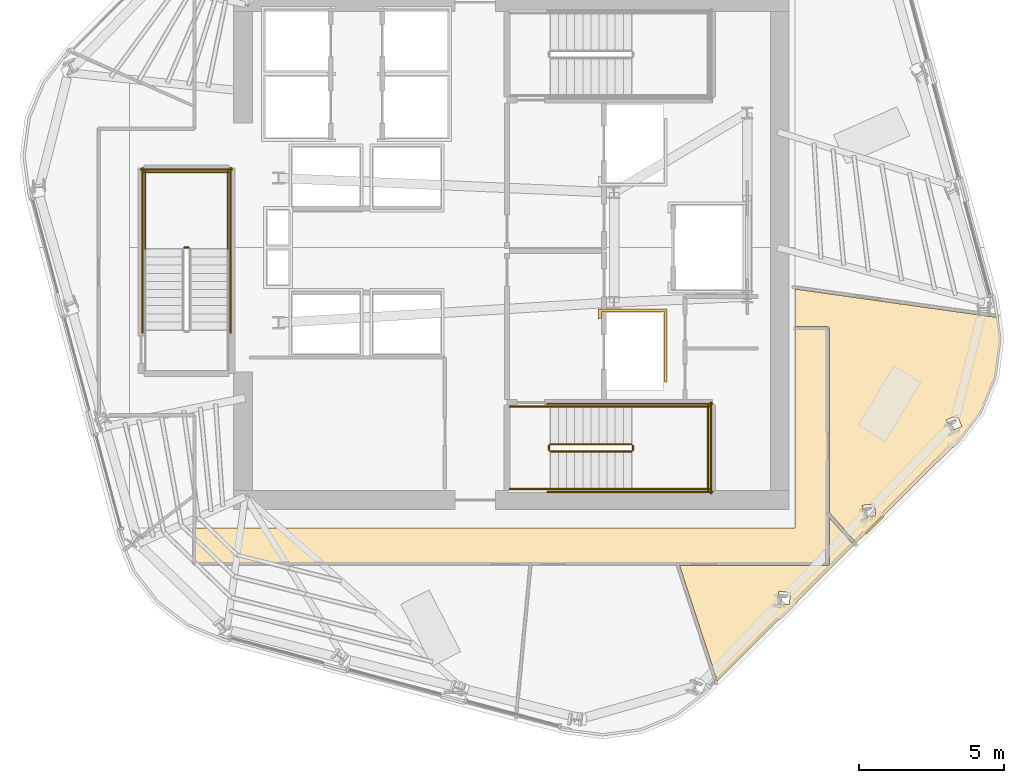
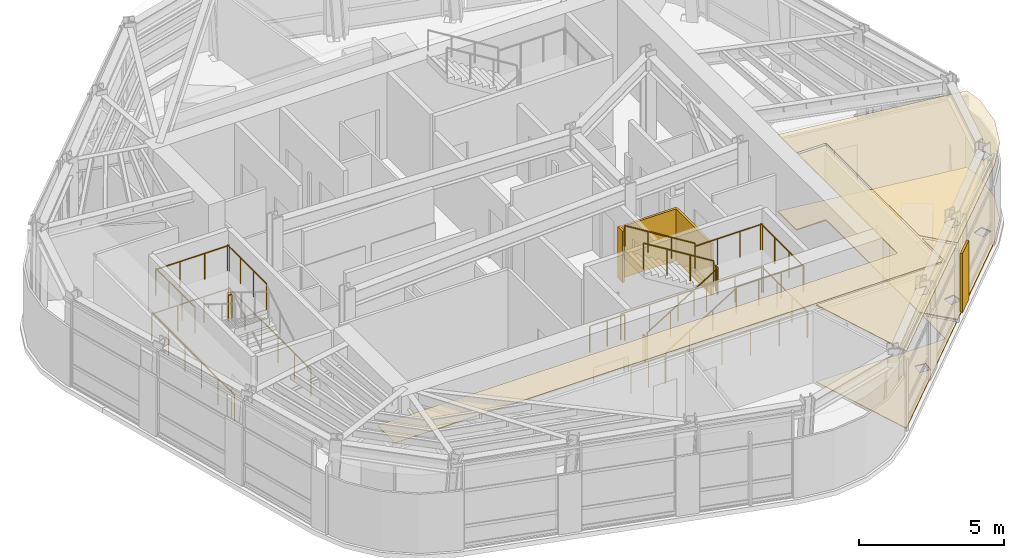
# One storey, part 10 of 13: 21 railings, 7 coverings.
"""IFC4 building model written with IfcOpenShell, lengths in metres."""

from ifc_helpers import new_model, si_unit, direction, frame, origin, origin_2d, place, context, subcontext, project, spatial, polyline, circle, outline, extrude, material, layer, layer_set, type_object, element, save


model = new_model("IFC4")

# Units and contexts
model_context = context("Model", 3, precision=1e-05, world=origin(), true_north=direction((0.0, 1.0)))
body_context = subcontext(model_context, "Body", "Model", "MODEL_VIEW")
ifc_project = project(units=[si_unit("LENGTHUNIT", "METRE"), si_unit("AREAUNIT", "SQUARE_METRE"), si_unit("VOLUMEUNIT", "CUBIC_METRE"), si_unit("PLANEANGLEUNIT", "RADIAN"), si_unit("MASSUNIT", "GRAM", prefix="KILO")], contexts=[model_context])

# Site, building, storey
site_placement = place(None, origin())
site = spatial("IfcSite", under=ifc_project, at=site_placement, CompositionType="ELEMENT")
building_placement = place(site_placement, origin())
building = spatial("IfcBuilding", under=site, at=building_placement, Name="Valkerne Bourse Tower", CompositionType="ELEMENT")
storey_placement = place(building_placement, frame((0.0, 0.0, 217.0)))
storey = spatial("IfcBuildingStorey", under=building, at=storey_placement, Name="L55", CompositionType="ELEMENT", Elevation=217.0)

# Coverings
ifc_material_1 = material(Name="Mineral Fiber Acoustic Ceiling Tile", Category="acoustic")
ifc_layer_1 = layer(ifc_material_1, 0.02490234375)
ifc_layer_set_1 = layer_set([ifc_layer_1], Name="Mineral Fiber Acoustic Ceiling Tile")
covering_type_1 = type_object("IfcCoveringType", Name="COV-CEIL-ACT", PredefinedType="CEILING", material=ifc_layer_set_1)
covering_1_placement = place(storey_placement, frame((0.0, 0.0, 3.25)))
element("IfcCovering", 1, at=covering_1_placement, inside=storey, type_object=covering_type_1, Name="L55 Suspended Ceiling 04", PredefinedType="CEILING", context=body_context, shape_type="SweptSolid", body=[
    extrude(outline(polyline([(57.74267578125, 16.0146484375), (57.775390625, 16.038330078125), (57.788818359375, 16.07666015625), (57.7890625, 17.661376953125), (58.632080078125, 16.711669921875), (53.915771484375, 12.0263671875), (52.61328125, 16.010986328125), (57.74267578125, 16.0146484375)]), holes=[polyline([(56.453857421875, 15.069091796875), (56.0458984375, 15.122802734375), (56.0439453125, 15.12158203125), (55.990966796875, 14.7109375), (56.398681640625, 14.6572265625), (56.400634765625, 14.65869140625), (56.453857421875, 15.069091796875)])]), origin(), (0.0, 0.0, 1.0), 0.02490234375),
])
covering_2_placement = place(storey_placement, frame((0.0, 0.0, 3.25)))
element("IfcCovering", 2, at=covering_2_placement, inside=storey, type_object=covering_type_1, Name="L55 Suspended Ceiling 06", PredefinedType="CEILING", context=body_context, shape_type="SweptSolid", body=[
    extrude(outline(polyline([(63.002685546875, 21.30419921875), (62.193603515625, 20.249755859375), (58.716064453125, 16.794921875), (57.7890625, 17.839111328125), (57.786865234375, 24.217529296875), (57.76171875, 24.255126953125), (57.723388671875, 24.268798828125), (56.60009765625, 24.26904296875), (56.60009765625, 25.56298828125), (63.5810546875, 24.58203125), (63.679931640625, 23.83154296875), (63.507568359375, 22.523193359375), (63.002685546875, 21.30419921875)]), holes=[polyline([(59.39453125, 17.734130859375), (59.333984375, 18.143798828125), (58.927001953125, 18.08447265625), (58.925537109375, 18.08251953125), (58.986083984375, 17.673095703125), (59.393310546875, 17.732421875), (59.39453125, 17.734130859375)]), polyline([(62.368896484375, 20.8173828125), (62.20654296875, 21.1982421875), (61.827880859375, 21.037841796875), (61.826904296875, 21.03564453125), (61.989013671875, 20.65478515625), (62.367919921875, 20.815185546875), (62.368896484375, 20.8173828125)])]), origin(), (0.0, 0.0, 1.0), 0.02490234375),
])
ifc_material_2 = material(Name="Bronze Anodised Aluminium AA 6063-T6", Category="aluminium")
ifc_layer_2 = layer(ifc_material_2, 0.030029296875)
ifc_layer_set_2 = layer_set([ifc_layer_2], Name="Bronze Anodised Aluminium AA 6063-T6")
covering_type_2 = type_object("IfcCoveringType", Name="COV-CEIL-METAL", PredefinedType="CEILING", material=ifc_layer_set_2)
covering_3_placement = place(storey_placement, frame((0.0, 0.0, 3.25)))
element("IfcCovering", 3, at=covering_3_placement, inside=storey, type_object=covering_type_2, Name="L55 Suspended Ceiling 01", PredefinedType="CEILING", context=body_context, shape_type="SweptSolid", body=[
    extrude(outline(polyline([(35.85400390625, 17.300048828125), (56.60009765625, 17.300048828125), (56.60009765625, 24.196044921875), (57.716064453125, 24.196044921875), (57.716064453125, 16.083984375), (35.85400390625, 16.083984375), (35.85400390625, 17.300048828125)])), origin(), (0.0, 0.0, 1.0), 0.02490234375),
])
ifc_layer_3 = layer(ifc_material_2, 0.06005859375)
ifc_layer_set_3 = layer_set([ifc_layer_3], Name="Bronze Anodised Aluminium AA 6063-T6")
covering_type_3 = type_object("IfcCoveringType", Name="COV-CRN-ALUM", PredefinedType="CLADDING", material=ifc_layer_set_3)
covering_4_placement = place(storey_placement, origin())
element("IfcCovering", 4, at=covering_4_placement, inside=storey, type_object=covering_type_3, Name="L55 Wind-Shaped Corner Aluminium Cladding 02", PredefinedType="CLADDING", context=body_context, shape_type="SweptSolid", body=[
    extrude(outline(polyline([(59.0849609375, 17.099365234375), (59.0283203125, 17.156005859375), (59.624267578125, 17.748046875), (59.680908203125, 17.69140625), (59.0849609375, 17.099365234375)])), origin(), (0.0, 0.0, 1.0), 2.5),
])
ifc_material_3 = material(Name="Galvanised Painted Steel", Category="steel")
ifc_layer_4 = layer(ifc_material_3, 0.044921875)
ifc_layer_set_4 = layer_set([ifc_layer_4], Name="Galvanised Painted Steel")
covering_type_4 = type_object("IfcCoveringType", Name="COV-FLR-RAF", PredefinedType="FLOORING", material=ifc_layer_set_4)
covering_5_placement = place(storey_placement, origin())
element("IfcCovering", 5, at=covering_5_placement, inside=storey, type_object=covering_type_4, Name="L55 Floor Finish 06", PredefinedType="FLOORING", context=body_context, shape_type="SweptSolid", body=[
    extrude(outline(polyline([(63.002685546875, 21.30419921875), (62.193603515625, 20.249755859375), (58.716064453125, 16.794921875), (57.7890625, 17.839111328125), (57.786865234375, 24.217529296875), (57.76171875, 24.255126953125), (57.723388671875, 24.268798828125), (56.60009765625, 24.26904296875), (56.60009765625, 25.56298828125), (63.5810546875, 24.58203125), (63.679931640625, 23.83154296875), (63.507568359375, 22.523193359375), (63.002685546875, 21.30419921875)]), holes=[polyline([(59.39453125, 17.734130859375), (59.333984375, 18.143798828125), (58.927001953125, 18.08447265625), (58.925537109375, 18.08251953125), (58.986083984375, 17.673095703125), (59.393310546875, 17.732421875), (59.39453125, 17.734130859375)]), polyline([(62.368896484375, 20.8173828125), (62.20654296875, 21.1982421875), (61.827880859375, 21.037841796875), (61.826904296875, 21.03564453125), (61.989013671875, 20.65478515625), (62.367919921875, 20.815185546875), (62.368896484375, 20.8173828125)])]), origin(), (0.0, 0.0, 1.0), 0.044921875),
])
ifc_material_4 = material(Name="Polished Granite Stone", Category="masonry")
ifc_layer_5 = layer(ifc_material_4, 0.030029296875)
ifc_layer_set_5 = layer_set([ifc_layer_5], Name="Polished Granite Stone")
covering_type_5 = type_object("IfcCoveringType", Name="COV-FLR-TERRAZZO", PredefinedType="FLOORING", material=ifc_layer_set_5)
covering_6_placement = place(storey_placement, origin())
element("IfcCovering", 6, at=covering_6_placement, inside=storey, type_object=covering_type_5, Name="L55 Floor Finish 04", PredefinedType="FLOORING", context=body_context, shape_type="SweptSolid", body=[
    extrude(outline(polyline([(57.74267578125, 16.0146484375), (57.775390625, 16.038330078125), (57.788818359375, 16.07666015625), (57.7890625, 17.661376953125), (58.632080078125, 16.711669921875), (53.915771484375, 12.0263671875), (52.61328125, 16.010986328125), (57.74267578125, 16.0146484375)]), holes=[polyline([(56.453857421875, 15.069091796875), (56.0458984375, 15.122802734375), (56.0439453125, 15.12158203125), (55.990966796875, 14.7109375), (56.398681640625, 14.6572265625), (56.400634765625, 14.65869140625), (56.453857421875, 15.069091796875)])]), origin(), (0.0, 0.0, 1.0), 0.030029296875),
])
ifc_material_5 = material(Name="Gypsum Shaftwall Liner Board", Category="gypsum")
ifc_layer_6 = layer(ifc_material_5, 0.080078125)
ifc_layer_set_6 = layer_set([ifc_layer_6], Name="Gypsum Shaftwall Liner Board")
covering_type_6 = type_object("IfcCoveringType", Name="COV-SHF-CLAD", PredefinedType="CLADDING", material=ifc_layer_set_6)
covering_7_placement = place(storey_placement, origin())
element("IfcCovering", 7, at=covering_7_placement, inside=storey, type_object=covering_type_6, Name="L55 Hoistway & Riser Shaftwall Liner 05", PredefinedType="CLADDING", context=body_context, shape_type="SweptSolid", body=[
    extrude(outline(polyline([(52.179931640625, 22.35009765625), (52.090087890625, 22.35009765625), (52.090087890625, 24.7900390625), (49.909912109375, 24.7900390625), (49.909912109375, 24.560791015625), (49.869384765625, 24.550537109375), (49.827880859375, 24.53564453125), (49.820068359375, 24.531982421875), (49.820068359375, 24.8798828125), (52.179931640625, 24.8798828125), (52.179931640625, 22.35009765625)])), origin(), (0.0, 0.0, 1.0), 2.179931640625),
])

# Railings
railing_type_1 = type_object("IfcRailingType", Name="RLG-ST-GUARD-1120", PredefinedType="GUARDRAIL", material=ifc_material_3)
railing_1_placement = place(storey_placement, frame((48.14990234375, 19.949951171875, 0.172607421875)))
element("IfcRailing", 8, at=railing_1_placement, inside=storey, type_object=railing_type_1, Name="L55 ST-1 stair guard 1", PredefinedType="GUARDRAIL", context=body_context, shape_type="SweptSolid", body=[
    extrude(circle(Radius=0.02392578125, at=origin_2d()), frame((0.0, 0.0, 1.09619140625), z_axis=(0.851089632645, 0.0, 0.525020415988), x_axis=(0.0, 1.0, 0.0)), (0.0, 0.0, 1.0), 3.2900390625),
    extrude(circle(Radius=0.02099609375, at=origin_2d()), origin(), (0.0, 0.0, 1.0), 1.072021484375),
    extrude(circle(Radius=0.02099609375, at=origin_2d()), frame((0.933349609375, 0.0, 0.57568359375)), (0.0, 0.0, 1.0), 1.072021484375),
    extrude(circle(Radius=0.02099609375, at=origin_2d()), frame((1.86669921875, 0.0, 1.151611328125)), (0.0, 0.0, 1.0), 1.072021484375),
    extrude(circle(Radius=0.02099609375, at=origin_2d()), frame((2.800048828125, 0.0, 1.727294921875)), (0.0, 0.0, 1.0), 1.072021484375),
])
railing_2_placement = place(storey_placement, frame((51.0, 20.0, 1.89990234375)))
element("IfcRailing", 9, at=railing_2_placement, inside=storey, type_object=railing_type_1, Name="L55 ST-1 stair guard 2", PredefinedType="GUARDRAIL", context=body_context, shape_type="SweptSolid", body=[
    extrude(circle(Radius=0.02392578125, at=origin_2d()), frame((0.0, 0.0, 1.09619140625), z_axis=(0.0, 1.0, 0.0), x_axis=(-1.0, 0.0, 0.0)), (0.0, 0.0, 1.0), 0.14990234375),
    extrude(circle(Radius=0.02099609375, at=origin_2d()), origin(), (0.0, 0.0, 1.0), 1.072021484375),
    extrude(circle(Radius=0.02099609375, at=origin_2d()), frame((0.0, 0.14990234375, 0.0)), (0.0, 0.0, 1.0), 1.072021484375),
])
for number, where, name in (
    (10, (50.949951171875, 18.64990234375, 1.89990234375), "L55 ST-1 stair guard 3"),
    (11, (50.949951171875, 21.5, 1.89990234375), "L55 ST-1 stair guard 4"),
):
    element("IfcRailing", number, at=place(storey_placement, frame(where)), inside=storey, type_object=railing_type_1, Name=name, PredefinedType="GUARDRAIL", context=body_context, shape_type="SweptSolid", body=[
        extrude(circle(Radius=0.02392578125, at=origin_2d()), frame((0.0, 0.0, 1.09619140625), z_axis=(1.0, 0.0, 0.0), x_axis=(0.0, 1.0, 0.0)), (0.0, 0.0, 1.0), 2.699951171875),
        extrude(circle(Radius=0.02099609375, at=origin_2d()), origin(), (0.0, 0.0, 1.0), 1.072021484375),
        extrude(circle(Radius=0.02099609375, at=origin_2d()), frame((0.89990234375, 0.0, 0.0)), (0.0, 0.0, 1.0), 1.072021484375),
        extrude(circle(Radius=0.02099609375, at=origin_2d()), frame((1.800048828125, 0.0, 0.0)), (0.0, 0.0, 1.0), 1.072021484375),
        extrude(circle(Radius=0.02099609375, at=origin_2d()), frame((2.699951171875, 0.0, 0.0)), (0.0, 0.0, 1.0), 1.072021484375),
    ])
railing_3_placement = place(storey_placement, frame((53.60009765625, 18.60009765625, 1.89990234375)))
element("IfcRailing", 12, at=railing_3_placement, inside=storey, type_object=railing_type_1, Name="L55 ST-1 stair guard 5", PredefinedType="GUARDRAIL", context=body_context, shape_type="SweptSolid", body=[
    extrude(circle(Radius=0.02392578125, at=origin_2d()), frame((0.0, 0.0, 1.09619140625), z_axis=(0.0, 1.0, 0.0), x_axis=(-1.0, 0.0, 0.0)), (0.0, 0.0, 1.0), 2.949951171875),
    extrude(circle(Radius=0.02099609375, at=origin_2d()), origin(), (0.0, 0.0, 1.0), 1.072021484375),
    extrude(circle(Radius=0.02099609375, at=origin_2d()), frame((0.0, 0.9833984375, 0.0)), (0.0, 0.0, 1.0), 1.072021484375),
    extrude(circle(Radius=0.02099609375, at=origin_2d()), frame((0.0, 1.966552734375, 0.0)), (0.0, 0.0, 1.0), 1.072021484375),
    extrude(circle(Radius=0.02099609375, at=origin_2d()), frame((0.0, 2.949951171875, 0.0)), (0.0, 0.0, 1.0), 1.072021484375),
])
railing_4_placement = place(storey_placement, frame((50.949951171875, 20.199951171875, 2.07275390625)))
element("IfcRailing", 13, at=railing_4_placement, inside=storey, type_object=railing_type_1, Name="L55 ST-1 stair guard 6", PredefinedType="GUARDRAIL", context=body_context, shape_type="SweptSolid", body=[
    extrude(circle(Radius=0.02392578125, at=origin_2d()), frame((0.0, 0.0, 1.09619140625), z_axis=(-0.851089632645, 0.0, 0.525020415988), x_axis=(0.0, -1.0, 0.0)), (0.0, 0.0, 1.0), 3.2900390625),
    extrude(circle(Radius=0.02099609375, at=origin_2d()), origin(), (0.0, 0.0, 1.0), 1.072021484375),
    extrude(circle(Radius=0.02099609375, at=origin_2d()), frame((-0.933349609375, 0.0, 0.57568359375)), (0.0, 0.0, 1.0), 1.072021484375),
    extrude(circle(Radius=0.02099609375, at=origin_2d()), frame((-1.86669921875, 0.0, 1.151611328125)), (0.0, 0.0, 1.0), 1.072021484375),
    extrude(circle(Radius=0.02099609375, at=origin_2d()), frame((-2.800048828125, 0.0, 1.727294921875)), (0.0, 0.0, 1.0), 1.072021484375),
])
railing_5_placement = place(storey_placement, frame((48.10009765625, 20.0, 0.0)))
element("IfcRailing", 14, at=railing_5_placement, inside=storey, type_object=railing_type_1, Name="L55 ST-1 stair guard 7", PredefinedType="GUARDRAIL", context=body_context, shape_type="SweptSolid", body=[
    extrude(circle(Radius=0.02392578125, at=origin_2d()), frame((0.0, 0.0, 1.09619140625), z_axis=(0.0, 1.0, 0.0), x_axis=(-1.0, 0.0, 0.0)), (0.0, 0.0, 1.0), 0.14990234375),
    extrude(circle(Radius=0.02099609375, at=origin_2d()), origin(), (0.0, 0.0, 1.0), 1.072021484375),
    extrude(circle(Radius=0.02099609375, at=origin_2d()), frame((0.0, 0.14990234375, 0.0)), (0.0, 0.0, 1.0), 1.072021484375),
])
for number, where, name in (
    (15, (46.75, 18.64990234375, 0.0), "L55 ST-1 stair guard 8"),
    (16, (46.75, 21.5, 0.0), "L55 ST-1 stair guard 9"),
):
    element("IfcRailing", number, at=place(storey_placement, frame(where)), inside=storey, type_object=railing_type_1, Name=name, PredefinedType="GUARDRAIL", context=body_context, shape_type="SweptSolid", body=[
        extrude(circle(Radius=0.02392578125, at=origin_2d()), frame((0.0, 0.0, 1.09619140625), z_axis=(1.0, 0.0, 0.0), x_axis=(0.0, 1.0, 0.0)), (0.0, 0.0, 1.0), 1.39990234375),
        extrude(circle(Radius=0.02099609375, at=origin_2d()), origin(), (0.0, 0.0, 1.0), 1.072021484375),
        extrude(circle(Radius=0.02099609375, at=origin_2d()), frame((0.699951171875, 0.0, 0.0)), (0.0, 0.0, 1.0), 1.072021484375),
        extrude(circle(Radius=0.02099609375, at=origin_2d()), frame((1.39990234375, 0.0, 0.0)), (0.0, 0.0, 1.0), 1.072021484375),
    ])
for number, where, name in (
    (17, (48.050048828125, 18.550048828125, 0.0), "L55 ST-1 stair guard 10"),
    (18, (48.050048828125, 21.60009765625, 0.0), "L55 ST-1 stair guard 11"),
):
    element("IfcRailing", number, at=place(storey_placement, frame(where)), inside=storey, type_object=railing_type_1, Name=name, PredefinedType="GUARDRAIL", context=body_context, shape_type="SweptSolid", body=[
        extrude(circle(Radius=0.02392578125, at=origin_2d()), frame((0.0, 0.0, 1.09619140625), z_axis=(1.0, 0.0, 0.0), x_axis=(0.0, 1.0, 0.0)), (0.0, 0.0, 1.0), 5.699951171875),
        extrude(circle(Radius=0.02099609375, at=origin_2d()), origin(), (0.0, 0.0, 1.0), 1.072021484375),
        extrude(circle(Radius=0.02099609375, at=origin_2d()), frame((1.139892578125, 0.0, 0.0)), (0.0, 0.0, 1.0), 1.072021484375),
        extrude(circle(Radius=0.02099609375, at=origin_2d()), frame((2.280029296875, 0.0, 0.0)), (0.0, 0.0, 1.0), 1.072021484375),
        extrude(circle(Radius=0.02099609375, at=origin_2d()), frame((3.419921875, 0.0, 0.0)), (0.0, 0.0, 1.0), 1.072021484375),
        extrude(circle(Radius=0.02099609375, at=origin_2d()), frame((4.56005859375, 0.0, 0.0)), (0.0, 0.0, 1.0), 1.072021484375),
        extrude(circle(Radius=0.02099609375, at=origin_2d()), frame((5.699951171875, 0.0, 0.0)), (0.0, 0.0, 1.0), 1.072021484375),
    ])
railing_6_placement = place(storey_placement, frame((53.699951171875, 18.5, 0.0)))
element("IfcRailing", 19, at=railing_6_placement, inside=storey, type_object=railing_type_1, Name="L55 ST-1 stair guard 12", PredefinedType="GUARDRAIL", context=body_context, shape_type="SweptSolid", body=[
    extrude(circle(Radius=0.02392578125, at=origin_2d()), frame((0.0, 0.0, 1.09619140625), z_axis=(0.0, 1.0, 0.0), x_axis=(-1.0, 0.0, 0.0)), (0.0, 0.0, 1.0), 3.14990234375),
    extrude(circle(Radius=0.02099609375, at=origin_2d()), origin(), (0.0, 0.0, 1.0), 1.072021484375),
    extrude(circle(Radius=0.02099609375, at=origin_2d()), frame((0.0, 1.050048828125, 0.0)), (0.0, 0.0, 1.0), 1.072021484375),
    extrude(circle(Radius=0.02099609375, at=origin_2d()), frame((0.0, 2.099853515625, 0.0)), (0.0, 0.0, 1.0), 1.072021484375),
    extrude(circle(Radius=0.02099609375, at=origin_2d()), frame((0.0, 3.14990234375, 0.0)), (0.0, 0.0, 1.0), 1.072021484375),
])
railing_7_placement = place(storey_placement, frame((35.64990234375, 27.0, 1.89990234375)))
element("IfcRailing", 20, at=railing_7_placement, inside=storey, type_object=railing_type_1, Name="L55 ST-3 stair guard 2", PredefinedType="GUARDRAIL", context=body_context, shape_type="SweptSolid", body=[
    extrude(circle(Radius=0.02392578125, at=origin_2d()), frame((0.0, 0.0, 1.09619140625), z_axis=(-1.0, 0.0, 0.0), x_axis=(0.0, -1.0, 0.0)), (0.0, 0.0, 1.0), 0.14990234375),
    extrude(circle(Radius=0.02099609375, at=origin_2d()), origin(), (0.0, 0.0, 1.0), 1.072021484375),
    extrude(circle(Radius=0.02099609375, at=origin_2d()), frame((-0.14990234375, 0.0, 0.0)), (0.0, 0.0, 1.0), 1.072021484375),
])
for number, where, name in (
    (21, (37.0, 26.949951171875, 1.89990234375), "L55 ST-3 stair guard 3"),
    (22, (34.14990234375, 26.949951171875, 1.89990234375), "L55 ST-3 stair guard 4"),
):
    element("IfcRailing", number, at=place(storey_placement, frame(where)), inside=storey, type_object=railing_type_1, Name=name, PredefinedType="GUARDRAIL", context=body_context, shape_type="SweptSolid", body=[
        extrude(circle(Radius=0.02392578125, at=origin_2d()), frame((0.0, 0.0, 1.09619140625), z_axis=(0.0, 1.0, 0.0), x_axis=(-1.0, 0.0, 0.0)), (0.0, 0.0, 1.0), 2.699951171875),
        extrude(circle(Radius=0.02099609375, at=origin_2d()), origin(), (0.0, 0.0, 1.0), 1.072021484375),
        extrude(circle(Radius=0.02099609375, at=origin_2d()), frame((0.0, 0.89990234375, 0.0)), (0.0, 0.0, 1.0), 1.072021484375),
        extrude(circle(Radius=0.02099609375, at=origin_2d()), frame((0.0, 1.800048828125, 0.0)), (0.0, 0.0, 1.0), 1.072021484375),
        extrude(circle(Radius=0.02099609375, at=origin_2d()), frame((0.0, 2.699951171875, 0.0)), (0.0, 0.0, 1.0), 1.072021484375),
    ])
railing_8_placement = place(storey_placement, frame((37.050048828125, 29.60009765625, 1.89990234375)))
element("IfcRailing", 23, at=railing_8_placement, inside=storey, type_object=railing_type_1, Name="L55 ST-3 stair guard 5", PredefinedType="GUARDRAIL", context=body_context, shape_type="SweptSolid", body=[
    extrude(circle(Radius=0.02392578125, at=origin_2d()), frame((0.0, 0.0, 1.09619140625), z_axis=(-1.0, 0.0, 0.0), x_axis=(0.0, -1.0, 0.0)), (0.0, 0.0, 1.0), 2.949951171875),
    extrude(circle(Radius=0.02099609375, at=origin_2d()), origin(), (0.0, 0.0, 1.0), 1.072021484375),
    extrude(circle(Radius=0.02099609375, at=origin_2d()), frame((-0.9833984375, 0.0, 0.0)), (0.0, 0.0, 1.0), 1.072021484375),
    extrude(circle(Radius=0.02099609375, at=origin_2d()), frame((-1.966552734375, 0.0, 0.0)), (0.0, 0.0, 1.0), 1.072021484375),
    extrude(circle(Radius=0.02099609375, at=origin_2d()), frame((-2.949951171875, 0.0, 0.0)), (0.0, 0.0, 1.0), 1.072021484375),
])
for number, where, name in (
    (24, (37.10009765625, 24.050048828125, 0.0), "L55 ST-3 stair guard 10"),
    (25, (34.050048828125, 24.050048828125, 0.0), "L55 ST-3 stair guard 11"),
):
    element("IfcRailing", number, at=place(storey_placement, frame(where)), inside=storey, type_object=railing_type_1, Name=name, PredefinedType="GUARDRAIL", context=body_context, shape_type="SweptSolid", body=[
        extrude(circle(Radius=0.02392578125, at=origin_2d()), frame((0.0, 0.0, 1.09619140625), z_axis=(0.0, 1.0, 0.0), x_axis=(-1.0, 0.0, 0.0)), (0.0, 0.0, 1.0), 5.699951171875),
        extrude(circle(Radius=0.02099609375, at=origin_2d()), origin(), (0.0, 0.0, 1.0), 1.072021484375),
        extrude(circle(Radius=0.02099609375, at=origin_2d()), frame((0.0, 1.139892578125, 0.0)), (0.0, 0.0, 1.0), 1.072021484375),
        extrude(circle(Radius=0.02099609375, at=origin_2d()), frame((0.0, 2.280029296875, 0.0)), (0.0, 0.0, 1.0), 1.072021484375),
        extrude(circle(Radius=0.02099609375, at=origin_2d()), frame((0.0, 3.419921875, 0.0)), (0.0, 0.0, 1.0), 1.072021484375),
        extrude(circle(Radius=0.02099609375, at=origin_2d()), frame((0.0, 4.56005859375, 0.0)), (0.0, 0.0, 1.0), 1.072021484375),
        extrude(circle(Radius=0.02099609375, at=origin_2d()), frame((0.0, 5.699951171875, 0.0)), (0.0, 0.0, 1.0), 1.072021484375),
    ])
railing_9_placement = place(storey_placement, frame((37.14990234375, 29.699951171875, 0.0)))
element("IfcRailing", 26, at=railing_9_placement, inside=storey, type_object=railing_type_1, Name="L55 ST-3 stair guard 12", PredefinedType="GUARDRAIL", context=body_context, shape_type="SweptSolid", body=[
    extrude(circle(Radius=0.02392578125, at=origin_2d()), frame((0.0, 0.0, 1.09619140625), z_axis=(-1.0, 0.0, 0.0), x_axis=(0.0, -1.0, 0.0)), (0.0, 0.0, 1.0), 3.14990234375),
    extrude(circle(Radius=0.02099609375, at=origin_2d()), origin(), (0.0, 0.0, 1.0), 1.072021484375),
    extrude(circle(Radius=0.02099609375, at=origin_2d()), frame((-1.050048828125, 0.0, 0.0)), (0.0, 0.0, 1.0), 1.072021484375),
    extrude(circle(Radius=0.02099609375, at=origin_2d()), frame((-2.099853515625, 0.0, 0.0)), (0.0, 0.0, 1.0), 1.072021484375),
    extrude(circle(Radius=0.02099609375, at=origin_2d()), frame((-3.14990234375, 0.0, 0.0)), (0.0, 0.0, 1.0), 1.072021484375),
])
ifc_material_6 = material(Name="Stainless Steel AISI 316", Category="steel")
railing_type_2 = type_object("IfcRailingType", Name="RLG-ST-HANDRAIL-900", PredefinedType="HANDRAIL", material=ifc_material_6)
railing_10_placement = place(storey_placement, frame((48.14990234375, 18.64990234375, 0.345458984375)))
element("IfcRailing", 27, at=railing_10_placement, inside=storey, type_object=railing_type_2, Name="L55 ST-1 stair handrail 1", PredefinedType="HANDRAIL", context=body_context, shape_type="SweptSolid", body=[
    extrude(circle(Radius=0.02392578125, at=origin_2d()), frame((0.0, 0.0, 0.8759765625), z_axis=(0.851089632645, 0.0, 0.525020415988), x_axis=(0.0, 1.0, 0.0)), (0.0, 0.0, 1.0), 3.2900390625),
    extrude(circle(Radius=0.02099609375, at=origin_2d()), origin(), (0.0, 0.0, 1.0), 0.851806640625),
    extrude(circle(Radius=0.02099609375, at=origin_2d()), frame((0.933349609375, 0.0, 0.57568359375)), (0.0, 0.0, 1.0), 0.851806640625),
    extrude(circle(Radius=0.02099609375, at=origin_2d()), frame((1.86669921875, 0.0, 1.151611328125)), (0.0, 0.0, 1.0), 0.851806640625),
    extrude(circle(Radius=0.02099609375, at=origin_2d()), frame((2.800048828125, 0.0, 1.727294921875)), (0.0, 0.0, 1.0), 0.851806640625),
])
railing_11_placement = place(storey_placement, frame((50.949951171875, 21.5, 2.245361328125)))
element("IfcRailing", 28, at=railing_11_placement, inside=storey, type_object=railing_type_2, Name="L55 ST-1 stair handrail 2", PredefinedType="HANDRAIL", context=body_context, shape_type="SweptSolid", body=[
    extrude(circle(Radius=0.02392578125, at=origin_2d()), frame((0.0, 0.0, 0.8759765625), z_axis=(-0.851089632645, 0.0, 0.525020415988), x_axis=(0.0, -1.0, 0.0)), (0.0, 0.0, 1.0), 3.2900390625),
    extrude(circle(Radius=0.02099609375, at=origin_2d()), origin(), (0.0, 0.0, 1.0), 0.851806640625),
    extrude(circle(Radius=0.02099609375, at=origin_2d()), frame((-0.933349609375, 0.0, 0.57568359375)), (0.0, 0.0, 1.0), 0.851806640625),
    extrude(circle(Radius=0.02099609375, at=origin_2d()), frame((-1.86669921875, 0.0, 1.151611328125)), (0.0, 0.0, 1.0), 0.851806640625),
    extrude(circle(Radius=0.02099609375, at=origin_2d()), frame((-2.800048828125, 0.0, 1.727294921875)), (0.0, 0.0, 1.0), 0.851806640625),
])

save(model, "model.ifc")
